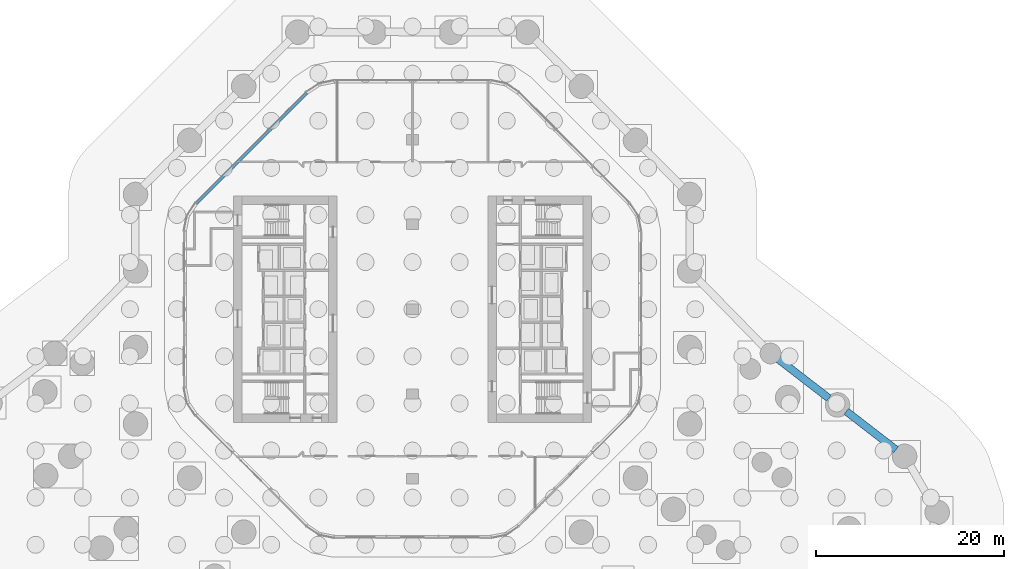
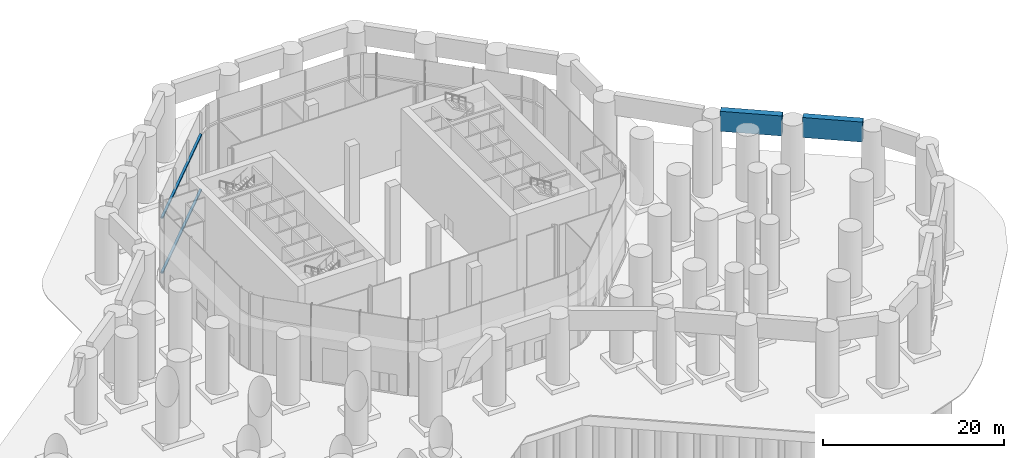
# One storey, part 16 of 31: 2 beams, 2 members, 1 element without a shape of its own.
"""IFC4 building model written with IfcOpenShell, lengths in metres."""

import ifcopenshell
import ifcopenshell.guid

model = None  # the IFC model being written
_history = None  # IfcOwnerHistory: only IFC2X3 demands one
_inside = {}  # id of a spatial element -> (the spatial element, [elements in it])
_under = {}  # id of a project, library or spatial element -> (it, [spatial elements below it])
_declared = {}  # id of a project -> (the project, [libraries it declares])
_typed = {}  # id of a type object -> (the type object, [elements of that type])
_made_of = {}  # id of a material, layer set ... -> (it, [elements and type objects made of it])


def new_model(schema):
    """Start an empty IFC model of exactly this schema.

    Asked for "IFC4X3", IfcOpenShell would pick the latest addendum, in which some entities
    have other attributes; the version numbers below select the first issue.
    IFC2X3 requires an IfcOwnerHistory on every rooted entity: one is made here for all.
    """
    global model, _history
    if schema == "IFC4X3":
        model = ifcopenshell.file(schema_version=(4, 3, 0, 0))
    else:
        model = ifcopenshell.file(schema=schema)
    _inside.clear()
    _under.clear()
    _declared.clear()
    _typed.clear()
    _made_of.clear()
    _history = None
    if model.schema == "IFC2X3":
        org = make("IfcOrganization", Name="unknown")
        user = make(
            "IfcPersonAndOrganization",
            ThePerson=make("IfcPerson", FamilyName="unknown"),
            TheOrganization=org,
        )
        app = make(
            "IfcApplication",
            ApplicationDeveloper=org,
            Version="unknown",
            ApplicationFullName="unknown",
            ApplicationIdentifier="unknown",
        )
        _history = make(
            "IfcOwnerHistory",
            OwningUser=user,
            OwningApplication=app,
            ChangeAction="ADDED",
            CreationDate=0,
        )
    return model


def make(cls, **values):
    """One entity of the class cls with the attributes given. An attribute that is None is left unset."""
    return model.create_entity(
        cls, **{name: value for name, value in values.items() if value is not None}
    )


def rooted(cls, **values):
    """An entity with a GlobalId (a new one), such as an element, a storey or a relation."""
    return make(cls, GlobalId=ifcopenshell.guid.new(), OwnerHistory=_history, **values)


def si_unit(unit_type, name, prefix=None):
    """IfcSIUnit, for example si_unit("LENGTHUNIT", "METRE", prefix="MILLI")."""
    return make("IfcSIUnit", UnitType=unit_type, Prefix=prefix, Name=name)


def assignment(units):
    """IfcUnitAssignment: the units of a project."""
    return None if units is None else make("IfcUnitAssignment", Units=units)


def point(xyz):
    """IfcCartesianPoint."""
    return None if xyz is None else make("IfcCartesianPoint", Coordinates=xyz)


def direction(xyz):
    """IfcDirection."""
    return None if xyz is None else make("IfcDirection", DirectionRatios=xyz)


def frame(location, z_axis=None, x_axis=None):
    """IfcAxis2Placement3D, a coordinate frame: its origin and axes. An axis left out is left unset."""
    return make(
        "IfcAxis2Placement3D",
        Location=point(location),
        Axis=direction(z_axis),
        RefDirection=direction(x_axis),
    )


def frame_2d(location, x_axis=None):
    """IfcAxis2Placement2D, a coordinate frame in the plane: its origin and x axis."""
    return make(
        "IfcAxis2Placement2D", Location=point(location), RefDirection=direction(x_axis)
    )


def origin():
    """The frame at (0, 0, 0) with its axes left unset."""
    return frame((0.0, 0.0, 0.0))


def origin_2d():
    """The frame at (0, 0) in the plane with its x axis left unset."""
    return frame_2d((0.0, 0.0))


def place(relative_to, where):
    """IfcLocalPlacement: puts the frame where relative to a parent placement (None: the world)."""
    return make(
        "IfcLocalPlacement", PlacementRelTo=relative_to, RelativePlacement=where
    )


def context(
    kind, dimensions, precision=None, world=None, true_north=None, identifier=None
):
    """IfcGeometricRepresentationContext, for example the 3D "Model" context."""
    return make(
        "IfcGeometricRepresentationContext",
        ContextIdentifier=identifier,
        ContextType=kind,
        CoordinateSpaceDimension=dimensions,
        Precision=precision,
        WorldCoordinateSystem=world,
        TrueNorth=true_north,
    )


def subcontext(parent, identifier, kind, view, scale=None):
    """IfcGeometricRepresentationSubContext, for example "Body" below "Model"."""
    return make(
        "IfcGeometricRepresentationSubContext",
        ContextIdentifier=identifier,
        ContextType=kind,
        ParentContext=parent,
        TargetScale=scale,
        TargetView=view,
    )


def project(units=None, contexts=None):
    """IfcProject with its units and contexts."""
    return rooted(
        "IfcProject",
        Name="project",
        RepresentationContexts=contexts,
        UnitsInContext=assignment(units),
    )


def spatial(cls, under=None, at=None, **own):
    """A site, building, storey or space (cls), placed at a placement, below another one or the project."""
    s = rooted(cls, ObjectPlacement=at, **own)
    if under is not None:
        _under.setdefault(under.id(), (under, []))[1].append(s)
    return s


def profile(cls, at=None, kind="AREA", **sizes):
    """A parametric profile (cls). Its sizes go by their IFC names, for example OverallWidth=200.0."""
    return make(cls, ProfileType=kind, Position=at, **sizes)


def rectangle(**sizes):
    """IfcRectangleProfileDef."""
    return profile("IfcRectangleProfileDef", **sizes)


def extrude(swept, where, along, depth):
    """IfcExtrudedAreaSolid: the profile swept, set in the frame where, extruded along a direction by depth."""
    return make(
        "IfcExtrudedAreaSolid",
        SweptArea=swept,
        Position=where,
        ExtrudedDirection=direction(along),
        Depth=depth,
    )


def shape(context_of_items, identifier, shape_type, items):
    """IfcShapeRepresentation: the items that make up one representation, for example the "Body"."""
    return make(
        "IfcShapeRepresentation",
        ContextOfItems=context_of_items,
        RepresentationIdentifier=identifier,
        RepresentationType=shape_type,
        Items=items,
    )


def material(Name=None, Category=None):
    """IfcMaterial."""
    return make("IfcMaterial", Name=Name, Category=Category)


def material_profile(
    of_material, cross_section, Name=None, Category=None, Priority=None
):
    """IfcMaterialProfile: a cross section and its material."""
    return make(
        "IfcMaterialProfile",
        Name=Name,
        Material=of_material,
        Profile=cross_section,
        Priority=Priority,
        Category=Category,
    )


def profile_set(profiles, Name=None, composite=None):
    """IfcMaterialProfileSet."""
    return make(
        "IfcMaterialProfileSet",
        Name=Name,
        MaterialProfiles=profiles,
        CompositeProfile=composite,
    )


def made_of(thing, what):
    """Note that an element or type object is made of a material, layer set ...; save() writes the relation."""
    if what is not None:
        _made_of.setdefault(what.id(), (what, []))[1].append(thing)
    return thing


def type_object(cls, material=None, **own):
    """A type object (cls), such as IfcWallType, which elements share."""
    return made_of(rooted(cls, **own), material)


def element(
    cls,
    number,
    at=None,
    inside=None,
    cuts=None,
    type_object=None,
    material=None,
    context=None,
    identifier="Body",
    shape_type=None,
    held_by="IfcProductDefinitionShape",
    body=None,
    shapes=None,
    **own,
):
    """One element of the class cls, such as IfcWall. Its Tag is "e" and its number.

    at: its placement. inside: the storey or other place that contains it. cuts: it is an
    opening in that element (IfcRelVoidsElement). A single representation is given by context,
    identifier, shape_type and body (its items); several are given by shapes. held_by: the class
    of the entity that holds the representations. save() writes the other relations.
    """
    e = rooted(cls, Tag="e%d" % number, ObjectPlacement=at, **own)
    if body is not None:
        shapes = [shape(context, identifier, shape_type, body)]
    if shapes is not None:
        e.Representation = make(held_by, Representations=shapes)
    if inside is not None:
        _inside.setdefault(inside.id(), (inside, []))[1].append(e)
    if cuts is not None:
        rooted(
            "IfcRelVoidsElement", RelatingBuildingElement=cuts, RelatedOpeningElement=e
        )
    if type_object is not None:
        _typed.setdefault(type_object.id(), (type_object, []))[1].append(e)
    return made_of(e, material)


def aggregate(whole, parts):
    """IfcRelAggregates: a whole, such as a stair, and the parts it consists of."""
    return rooted("IfcRelAggregates", RelatingObject=whole, RelatedObjects=parts)


def save(model, path):
    """Write the relations noted so far, then the file.

    IfcRelAggregates (storeys below a building ...), IfcRelContainedInSpatialStructure (elements
    in a storey), IfcRelDefinesByType, IfcRelAssociatesMaterial and IfcRelDeclares: one each for
    every whole, place, type object, material and project.
    """
    for whole, parts in _under.values():
        aggregate(whole, parts)
    for where, things in _inside.values():
        rooted(
            "IfcRelContainedInSpatialStructure",
            RelatedElements=things,
            RelatingStructure=where,
        )
    for kind, things in _typed.values():
        rooted("IfcRelDefinesByType", RelatedObjects=things, RelatingType=kind)
    for what, things in _made_of.values():
        rooted("IfcRelAssociatesMaterial", RelatedObjects=things, RelatingMaterial=what)
    for by, libraries in _declared.values():
        rooted("IfcRelDeclares", RelatingContext=by, RelatedDefinitions=libraries)
    model.write(path)


model = new_model("IFC4")

# Units and contexts
model_context = context("Model", 3, precision=1e-05, world=origin(), true_north=direction((0.0, 1.0)))
body_context = subcontext(model_context, "Body", "Model", "MODEL_VIEW")
ifc_project = project(units=[si_unit("LENGTHUNIT", "METRE"), si_unit("AREAUNIT", "SQUARE_METRE"), si_unit("VOLUMEUNIT", "CUBIC_METRE"), si_unit("PLANEANGLEUNIT", "RADIAN"), si_unit("MASSUNIT", "GRAM", prefix="KILO")], contexts=[model_context])

# Site, building, storey
site_placement = place(None, origin())
site = spatial("IfcSite", under=ifc_project, at=site_placement, CompositionType="ELEMENT")
building_placement = place(site_placement, origin())
building = spatial("IfcBuilding", under=site, at=building_placement, Name="Orlundy Tower", CompositionType="ELEMENT")
storey_placement = place(building_placement, origin())
storey = spatial("IfcBuildingStorey", under=building, at=storey_placement, Name="L00", CompositionType="ELEMENT", Elevation=0.0)

# Curtain wall, members
ifc_material_1 = material(Name="Aluminium bronze anodised", Category="aluminium")
curtain_wall_type = type_object("IfcCurtainWallType", Name="CW3 wall", PredefinedType="NOTDEFINED", material=ifc_material_1)
curtain_wall_placement = place(storey_placement, origin())
curtain_wall = element("IfcCurtainWall", 1, at=curtain_wall_placement, inside=storey, type_object=curtain_wall_type, Name="CW3 run 08", PredefinedType="NOTDEFINED")
ifc_material_2 = material(Name="Aluminium bronze anodised", Category="aluminium")
ifc_material_profile_1 = material_profile(ifc_material_2, rectangle(XDim=0.300048828125, YDim=0.199951171875, at=origin_2d()), Name="CW3 transom 300x200")
ifc_profile_set_1 = profile_set([ifc_material_profile_1], Name="Aluminium bronze anodised")
member_type = type_object("IfcMemberType", Name="CW3 transom 300x200", PredefinedType="USERDEFINED", material=ifc_profile_set_1)
member_1_placement = place(storey_placement, frame((-22.93408203125, 11.218017578125, -0.300048828125), z_axis=(0.707106781187, 0.707106781187, 0.0), x_axis=(-0.707106781187, 0.707106781187, 0.0)))
member_1 = element("IfcMember", 2, at=member_1_placement, type_object=member_type, Name="CW3 transom", ObjectType="TRANSOM", PredefinedType="USERDEFINED", context=body_context, shape_type="SweptSolid", body=[
    extrude(rectangle(XDim=0.300048828125, YDim=0.199951171875, at=origin_2d()), origin(), (0.0, 0.0, 1.0), 16.569091796875),
])
member_2_placement = place(storey_placement, frame((-22.93408203125, 11.218017578125, 7.10009765625), z_axis=(0.707106781187, 0.707106781187, 0.0), x_axis=(-0.707106781187, 0.707106781187, 0.0)))
member_2 = element("IfcMember", 3, at=member_2_placement, type_object=member_type, Name="CW3 transom", ObjectType="TRANSOM", PredefinedType="USERDEFINED", context=body_context, shape_type="SweptSolid", body=[
    extrude(rectangle(XDim=0.300048828125, YDim=0.199951171875, at=origin_2d()), origin(), (0.0, 0.0, 1.0), 16.569091796875),
])
aggregate(curtain_wall, [member_1, member_2])

# Beams
ifc_material_3 = material(Name="Concrete C80/95", Category="concrete")
ifc_material_profile_2 = material_profile(ifc_material_3, rectangle(XDim=0.800048828125, YDim=2.699951171875, at=origin_2d()), Name="RC800X2700")
ifc_profile_set_2 = profile_set([ifc_material_profile_2], Name="Concrete C80/95")
beam_type = type_object("IfcBeamType", Name="RC FASCIA BEAM RC800X2700 C80/95", PredefinedType="BEAM", material=ifc_profile_set_2)
beam_1_placement = place(storey_placement, frame((38.75732421875, -5.259521484375, 8.75), z_axis=(0.79170315088, -0.610905983672, 0.0), x_axis=(0.610905983672, 0.79170315088, 0.0)))
element("IfcBeam", 4, at=beam_1_placement, inside=storey, type_object=beam_type, Name="Fascia beam 29", PredefinedType="BEAM", context=body_context, shape_type="SweptSolid", body=[
    extrude(rectangle(XDim=0.800048828125, YDim=2.699951171875, at=origin_2d()), origin(), (0.0, 0.0, 1.0), 6.866455078125),
])
beam_2_placement = place(storey_placement, frame((46.03173828125, -10.83642578125, 8.75), z_axis=(0.791380827313, -0.611323470972, 0.0), x_axis=(0.611323470972, 0.791380827313, 0.0)))
element("IfcBeam", 5, at=beam_2_placement, inside=storey, type_object=beam_type, Name="Fascia beam 30", PredefinedType="BEAM", context=body_context, shape_type="SweptSolid", body=[
    extrude(rectangle(XDim=0.800048828125, YDim=2.699951171875, at=origin_2d()), origin(), (0.0, 0.0, 1.0), 6.6669921875),
])

save(model, "model.ifc")
